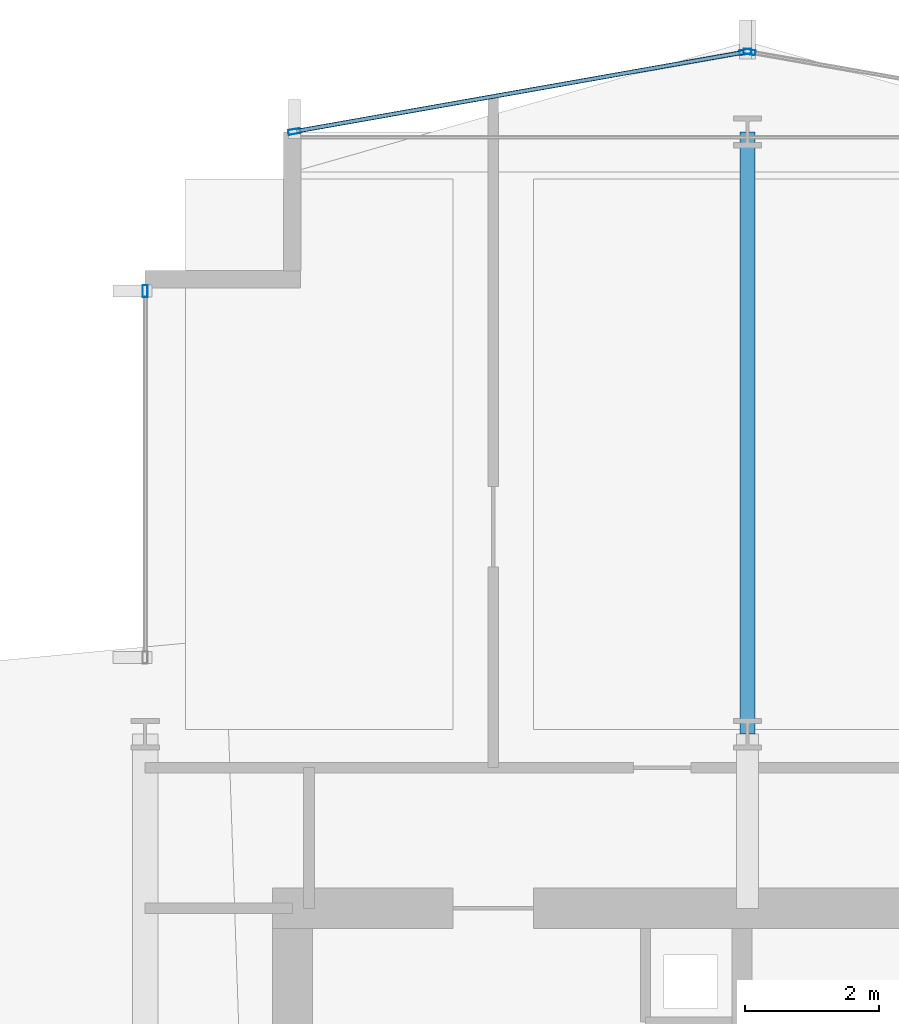
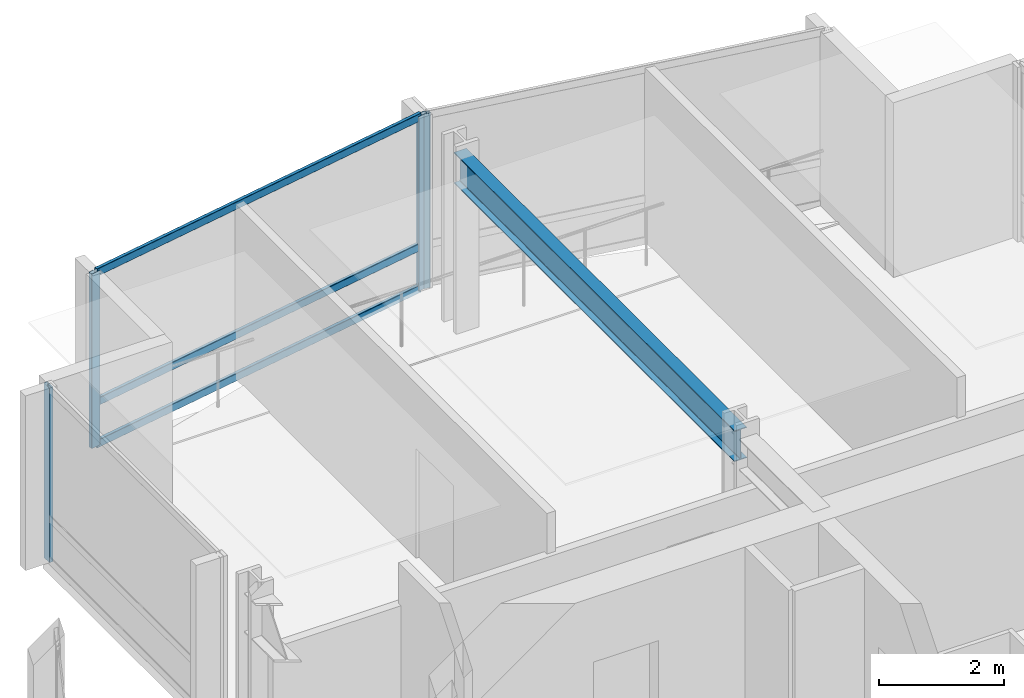
# One storey, part 23 of 34: 7 members, 1 beam, 3 elements without a shape of their own.
"""IFC4 building model written with IfcOpenShell, lengths in metres."""

from ifc_helpers import new_model, si_unit, direction, frame, origin, origin_2d, place, context, subcontext, project, spatial, hollow_rectangle, i_section, extrude, material, layer, layer_set, material_profile, profile_set, type_object, element, aggregate, save


model = new_model("IFC4")

# Units and contexts
model_context = context("Model", 3, precision=1e-05, world=origin(), true_north=direction((0.0, 1.0)))
body_context = subcontext(model_context, "Body", "Model", "MODEL_VIEW")
ifc_project = project(units=[si_unit("LENGTHUNIT", "METRE"), si_unit("AREAUNIT", "SQUARE_METRE"), si_unit("VOLUMEUNIT", "CUBIC_METRE"), si_unit("PLANEANGLEUNIT", "RADIAN"), si_unit("MASSUNIT", "GRAM", prefix="KILO")], contexts=[model_context])

# Site, building, storey
site_placement = place(None, origin())
site = spatial("IfcSite", under=ifc_project, at=site_placement, CompositionType="ELEMENT")
building_placement = place(site_placement, origin())
building = spatial("IfcBuilding", under=site, at=building_placement, Name="Solvaryn Broadcast Tower", CompositionType="ELEMENT")
storey_placement = place(building_placement, frame((0.0, 0.0, 73.0)))
storey = spatial("IfcBuildingStorey", under=building, at=storey_placement, Name="L17", CompositionType="ELEMENT", Elevation=73.0)

# Beam
ifc_material_1 = material(Name="Steel ASTM A992 Grade 50", Category="steel")
ifc_material_profile_1 = material_profile(ifc_material_1, i_section(OverallWidth=0.22802734375, OverallDepth=0.60791015625, WebThickness=0.01123046875, FlangeThickness=0.017333984375, FilletRadius=0.014892578125, at=origin_2d()))
ifc_profile_set_1 = profile_set([ifc_material_profile_1], Name="Steel ASTM A992 Grade 50")
beam_type = type_object("IfcBeamType", Name="BM-B2-W24X76", PredefinedType="BEAM", material=ifc_profile_set_1)
beam_placement = place(storey_placement, frame((18.0, 45.0, 3.115966796875), z_axis=(0.0, 1.0, 0.0), x_axis=(-1.0, 0.0, 0.0)))
element("IfcBeam", 1, at=beam_placement, inside=storey, type_object=beam_type, Name="L17 Primary Beam Y (45-54 @ X=18)", PredefinedType="BEAM", context=body_context, shape_type="SweptSolid", body=[
    extrude(i_section(OverallWidth=0.22802734375, OverallDepth=0.60791015625, WebThickness=0.01123046875, FlangeThickness=0.017333984375, FilletRadius=0.014892578125, at=origin_2d()), origin(), (0.0, 0.0, 1.0), 9.0),
])

# Curtain wall, member
ifc_material_2 = material(Name="Aluminium and Terracotta Unitised Curtain Wall", Category="masonry")
ifc_layer = layer(ifc_material_2, 0.199951171875)
ifc_layer_set = layer_set([ifc_layer], Name="CW-SYS2-LOWMID")
curtain_wall_type = type_object("IfcCurtainWallType", Name="CW-SYS2-LOWMID", PredefinedType="NOTDEFINED", material=ifc_layer_set)
curtain_wall_1_placement = place(storey_placement, origin())
curtain_wall_1 = element("IfcCurtainWall", 2, at=curtain_wall_1_placement, inside=storey, type_object=curtain_wall_type, Name="L17 Curtain Wall W2", PredefinedType="NOTDEFINED")
ifc_material_3 = material(Name="Anodised Aluminium 6063-T6", Category="aluminium")
ifc_material_profile_2 = material_profile(ifc_material_3, hollow_rectangle(XDim=0.074951171875, YDim=0.179931640625, WallThickness=0.00390625, InnerFilletRadius=0.00390625, OuterFilletRadius=0.008056640625, at=origin_2d()))
ifc_profile_set_2 = profile_set([ifc_material_profile_2], Name="Anodised Aluminium 6063-T6")
member_type_1 = type_object("IfcMemberType", Name="CW-MUL-180", PredefinedType="MULLION", material=ifc_profile_set_2)
member_1_placement = place(storey_placement, frame((9.0, 51.6201171875, 0.0), z_axis=(0.0, 0.0, 1.0), x_axis=(-1.0, 0.0, 0.0)))
member_1 = element("IfcMember", 3, at=member_1_placement, type_object=member_type_1, Name="CWS2 mullion 2", PredefinedType="MULLION", context=body_context, shape_type="SweptSolid", body=[
    extrude(hollow_rectangle(XDim=0.074951171875, YDim=0.179931640625, WallThickness=0.00390625, InnerFilletRadius=0.00390625, OuterFilletRadius=0.008056640625, at=origin_2d()), origin(), (0.0, 0.0, 1.0), 3.419921875),
])
aggregate(curtain_wall_1, [member_1])

curtain_wall_2_placement = place(storey_placement, origin())
curtain_wall_2 = element("IfcCurtainWall", 4, at=curtain_wall_2_placement, inside=storey, type_object=curtain_wall_type, Name="L17 Curtain Wall NT1", PredefinedType="NOTDEFINED")
member_2_placement = place(storey_placement, frame((18.029541015625, 55.19482421875, 0.0), z_axis=(0.0, 0.0, 1.0), x_axis=(-0.173785333901, -0.984783558819, 0.0)))
member_2 = element("IfcMember", 5, at=member_2_placement, type_object=member_type_1, Name="CWS2 mullion 2", PredefinedType="MULLION", context=body_context, shape_type="SweptSolid", body=[
    extrude(hollow_rectangle(XDim=0.074951171875, YDim=0.179931640625, WallThickness=0.00390625, InnerFilletRadius=0.00390625, OuterFilletRadius=0.008056640625, at=origin_2d()), origin(), (0.0, 0.0, 1.0), 3.419921875),
])
aggregate(curtain_wall_2, [member_2])

# Curtain wall, members
curtain_wall_3_placement = place(storey_placement, origin())
curtain_wall_3 = element("IfcCurtainWall", 6, at=curtain_wall_3_placement, inside=storey, type_object=curtain_wall_type, Name="L17 Curtain Wall NT2", PredefinedType="NOTDEFINED")
member_3_placement = place(storey_placement, frame((17.970458984375, 55.19482421875, 0.0), z_axis=(0.0, 0.0, 1.0), x_axis=(0.173785333901, -0.984783558819, 0.0)))
member_3 = element("IfcMember", 7, at=member_3_placement, type_object=member_type_1, Name="CWS2 mullion 1", PredefinedType="MULLION", context=body_context, shape_type="SweptSolid", body=[
    extrude(hollow_rectangle(XDim=0.074951171875, YDim=0.179931640625, WallThickness=0.00390625, InnerFilletRadius=0.00390625, OuterFilletRadius=0.008056640625, at=origin_2d()), origin(), (0.0, 0.0, 1.0), 3.419921875),
])
member_4_placement = place(storey_placement, frame((11.2294921875, 54.005126953125, 0.0), z_axis=(0.0, 0.0, 1.0), x_axis=(0.173785333901, -0.984783558819, 0.0)))
member_4 = element("IfcMember", 8, at=member_4_placement, type_object=member_type_1, Name="CWS2 mullion 2", PredefinedType="MULLION", context=body_context, shape_type="SweptSolid", body=[
    extrude(hollow_rectangle(XDim=0.074951171875, YDim=0.179931640625, WallThickness=0.00390625, InnerFilletRadius=0.00390625, OuterFilletRadius=0.008056640625, at=origin_2d()), origin(), (0.0, 0.0, 1.0), 3.419921875),
])
ifc_material_4 = material(Name="Anodised Aluminium 6063-T6", Category="aluminium")
ifc_material_profile_3 = material_profile(ifc_material_4, hollow_rectangle(XDim=0.06494140625, YDim=0.14990234375, WallThickness=0.00390625, InnerFilletRadius=0.00390625, OuterFilletRadius=0.008056640625, at=origin_2d()))
ifc_profile_set_3 = profile_set([ifc_material_profile_3], Name="Anodised Aluminium 6063-T6")
member_type_2 = type_object("IfcMemberType", Name="CW-TRN-150", PredefinedType="USERDEFINED", material=ifc_profile_set_3)
member_5_placement = place(storey_placement, frame((17.94091796875, 55.189453125, 0.030029296875), z_axis=(-0.984788629673, -0.173756596613, 0.0), x_axis=(0.173756596613, -0.984788629673, 0.0)))
member_5 = element("IfcMember", 9, at=member_5_placement, type_object=member_type_2, Name="CWS2 transom 1.1", ObjectType="TRANSOM", PredefinedType="USERDEFINED", context=body_context, shape_type="SweptSolid", body=[
    extrude(hollow_rectangle(XDim=0.06494140625, YDim=0.14990234375, WallThickness=0.00390625, InnerFilletRadius=0.00390625, OuterFilletRadius=0.008056640625, at=origin_2d()), origin(), (0.0, 0.0, 1.0), 6.78515625),
])
member_6_placement = place(storey_placement, frame((17.94091796875, 55.189453125, 0.85009765625), z_axis=(-0.984788629673, -0.173756596613, 0.0), x_axis=(0.173756596613, -0.984788629673, 0.0)))
member_6 = element("IfcMember", 10, at=member_6_placement, type_object=member_type_2, Name="CWS2 transom 1.2", ObjectType="TRANSOM", PredefinedType="USERDEFINED", context=body_context, shape_type="SweptSolid", body=[
    extrude(hollow_rectangle(XDim=0.06494140625, YDim=0.14990234375, WallThickness=0.00390625, InnerFilletRadius=0.00390625, OuterFilletRadius=0.008056640625, at=origin_2d()), origin(), (0.0, 0.0, 1.0), 6.78515625),
])
member_7_placement = place(storey_placement, frame((17.94091796875, 55.189453125, 3.389892578125), z_axis=(-0.984788629673, -0.173756596613, 0.0), x_axis=(0.173756596613, -0.984788629673, 0.0)))
member_7 = element("IfcMember", 11, at=member_7_placement, type_object=member_type_2, Name="CWS2 transom 1.3", ObjectType="TRANSOM", PredefinedType="USERDEFINED", context=body_context, shape_type="SweptSolid", body=[
    extrude(hollow_rectangle(XDim=0.06494140625, YDim=0.14990234375, WallThickness=0.00390625, InnerFilletRadius=0.00390625, OuterFilletRadius=0.008056640625, at=origin_2d()), origin(), (0.0, 0.0, 1.0), 6.78515625),
])
aggregate(curtain_wall_3, [member_3, member_4, member_5, member_6, member_7])

save(model, "model.ifc")
